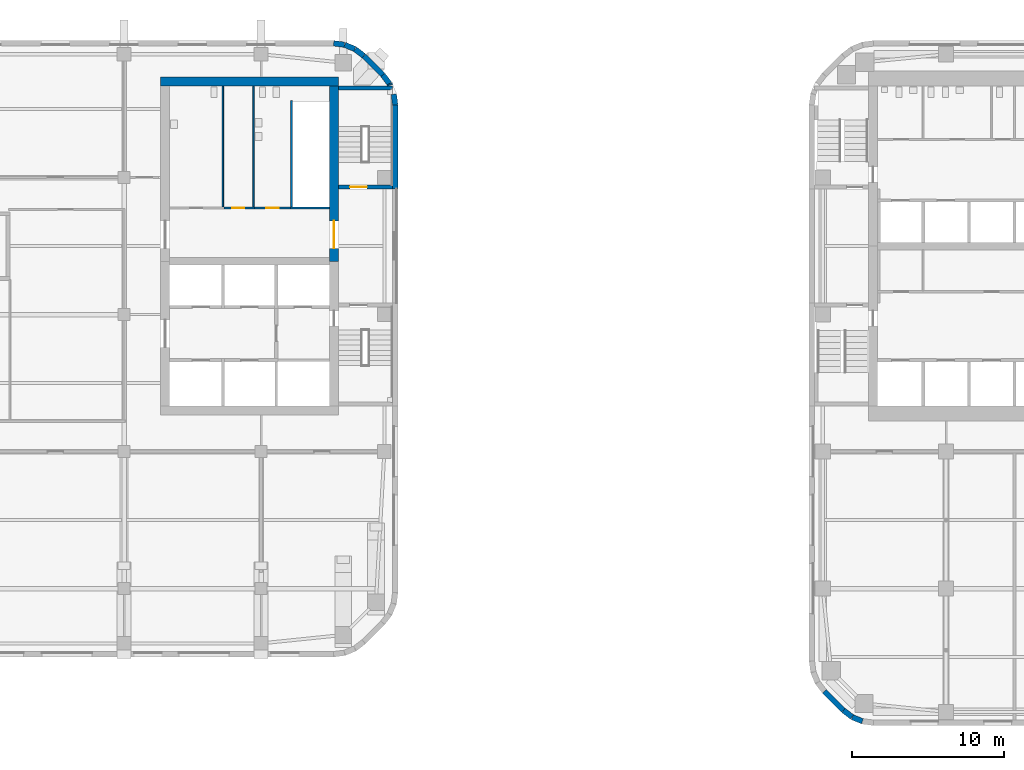
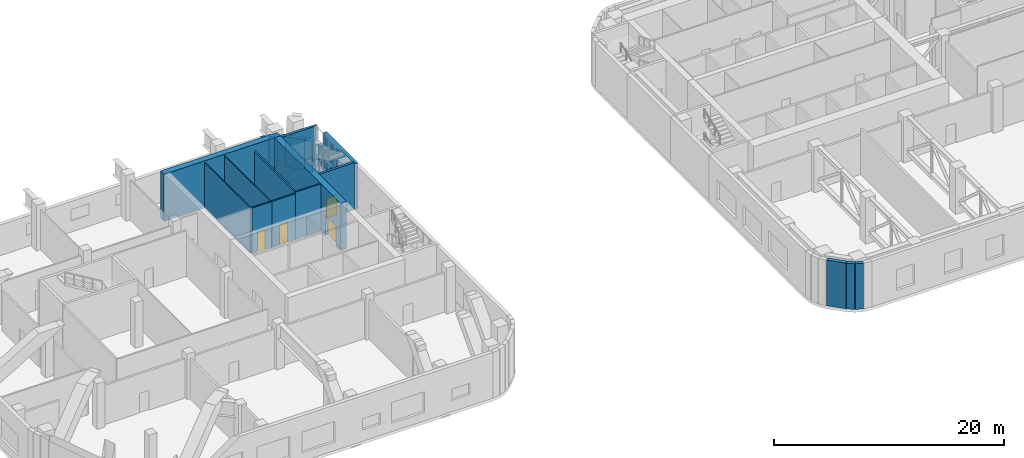
# One storey, part 14 of 23: 21 walls, 4 doors, 4 openings.
"""IFC4 building model written with IfcOpenShell, lengths in metres."""

from ifc_helpers import new_model, si_unit, direction, frame, frame_2d, origin, place, context, subcontext, project, spatial, rectangle, extrude, material, layer, layer_set, type_object, element, fill, save


model = new_model("IFC4")

# Units and contexts
model_context = context("Model", 3, precision=1e-05, world=origin(), true_north=direction((0.0, 1.0)))
body_context = subcontext(model_context, "Body", "Model", "MODEL_VIEW")
ifc_project = project(units=[si_unit("LENGTHUNIT", "METRE"), si_unit("AREAUNIT", "SQUARE_METRE"), si_unit("VOLUMEUNIT", "CUBIC_METRE"), si_unit("PLANEANGLEUNIT", "RADIAN"), si_unit("MASSUNIT", "GRAM", prefix="KILO")], contexts=[model_context])

# Site, building, storey
site_placement = place(None, origin())
site = spatial("IfcSite", under=ifc_project, at=site_placement, CompositionType="ELEMENT")
building_placement = place(site_placement, origin())
building = spatial("IfcBuilding", under=site, at=building_placement, Name="Cinnabar Reach Civic Tower", CompositionType="ELEMENT")
storey_placement = place(building_placement, frame((0.0, 0.0, 46.0)))
storey = spatial("IfcBuildingStorey", under=building, at=storey_placement, Name="L10", CompositionType="ELEMENT", Elevation=46.0)

# Walls
ifc_material_1 = material(Name="Facing brick with insulated backing", Category="masonry")
ifc_layer_1 = layer(ifc_material_1, 0.36)
ifc_layer_set_1 = layer_set([ifc_layer_1], Name="Brick corner wall")
wall_type_1 = type_object("IfcWallType", Name="Brick corner wall", PredefinedType="STANDARD", material=ifc_layer_set_1)
wall_1_placement = place(storey_placement, frame((2.2587, 1.0002, 0.0), z_axis=(0.0, 0.0, 1.0), x_axis=(0.793321924995, -0.608802368033, 0.0)))
element("IfcWall", 1, at=wall_1_placement, inside=storey, type_object=wall_type_1, Name="Brick corner wall", PredefinedType="STANDARD", context=body_context, shape_type="SweptSolid", body=[
    extrude(rectangle(XDim=0.7132, YDim=0.36, at=frame_2d((0.3566, 0.0))), origin(), (0.0, 0.0, 1.0), 4.85),
])
wall_2_placement = place(storey_placement, frame((2.8439, 0.5548, 0.0), z_axis=(0.0, 0.0, 1.0), x_axis=(0.923871547278, -0.382702709855, 0.0)))
element("IfcWall", 2, at=wall_2_placement, inside=storey, type_object=wall_type_1, Name="Brick corner wall", PredefinedType="STANDARD", context=body_context, shape_type="SweptSolid", body=[
    extrude(rectangle(XDim=0.7131, YDim=0.36, at=frame_2d((0.3565, 0.0))), origin(), (0.0, 0.0, 1.0), 4.85),
])
wall_3_placement = place(storey_placement, frame((-27.183, 40.7686, 0.0), z_axis=(0.0, 0.0, 1.0), x_axis=(-0.13055608231, 0.99144092581, 0.0)))
element("IfcWall", 3, at=wall_3_placement, inside=storey, type_object=wall_type_1, Name="Brick corner wall", PredefinedType="STANDARD", context=body_context, shape_type="SweptSolid", body=[
    extrude(rectangle(XDim=0.7131, YDim=0.36, at=frame_2d((0.3565, 0.0))), origin(), (0.0, 0.0, 1.0), 3.25),
])
wall_4_placement = place(storey_placement, frame((-27.5206, 42.0735, 0.0), z_axis=(0.0, 0.0, 1.0), x_axis=(-0.382549378284, 0.923935048136, 0.0)))
element("IfcWall", 4, at=wall_4_placement, inside=storey, type_object=wall_type_1, Name="Brick corner wall", PredefinedType="STANDARD", context=body_context, shape_type="SweptSolid", body=[
    extrude(rectangle(XDim=0.0894, YDim=0.36, at=frame_2d((0.0447, 0.0))), origin(), (0.0, 0.0, 1.0), 3.25),
])
for number, where, z_axis, x_axis, name in (
    (5, (-27.566, 42.1755, 0.0), (0.0, 0.0, 1.0), (-0.608802368033, 0.793321924995, 0.0), "Brick corner wall"),
    (6, (-29.2587, 43.9998, 0.0), (0.0, 0.0, 1.0), (-0.793321924995, 0.608802368033, 0.0), "Brick corner wall"),
):
    element("IfcWall", number, at=place(storey_placement, frame(where, z_axis=z_axis, x_axis=x_axis)), inside=storey, type_object=wall_type_1, Name=name, PredefinedType="STANDARD", context=body_context, shape_type="SweptSolid", body=[
        extrude(rectangle(XDim=0.7132, YDim=0.36, at=frame_2d((0.3566, 0.0))), origin(), (0.0, 0.0, 1.0), 3.25),
    ])
for number, where, z_axis, x_axis, name in (
    (7, (-29.8439, 44.4452, 0.0), (0.0, 0.0, 1.0), (-0.923871547278, 0.382702709855, 0.0), "Brick corner wall"),
    (8, (-30.5244, 44.7239, 0.0), (0.0, 0.0, 1.0), (-0.99144092581, 0.13055608231, 0.0), "Brick corner wall"),
):
    element("IfcWall", number, at=place(storey_placement, frame(where, z_axis=z_axis, x_axis=x_axis)), inside=storey, type_object=wall_type_1, Name=name, PredefinedType="STANDARD", context=body_context, shape_type="SweptSolid", body=[
        extrude(rectangle(XDim=0.7131, YDim=0.36, at=frame_2d((0.3565, 0.0))), origin(), (0.0, 0.0, 1.0), 3.25),
    ])
ifc_layer_2 = layer(ifc_material_1, 0.36)
ifc_layer_set_2 = layer_set([ifc_layer_2], Name="Brick pier and spandrel wall")
wall_type_2 = type_object("IfcWallType", Name="Brick pier and spandrel wall", PredefinedType="STANDARD", material=ifc_layer_set_2)
wall_5_placement = place(storey_placement, frame((1.006, 2.2486, 0.0), z_axis=(0.0, 0.0, 1.0), x_axis=(0.707106781187, -0.707106781187, 0.0)))
element("IfcWall", 9, at=wall_5_placement, inside=storey, type_object=wall_type_2, Name="Brick facade wall", PredefinedType="STANDARD", context=body_context, shape_type="SweptSolid", body=[
    extrude(rectangle(XDim=1.7573, YDim=0.36, at=frame_2d((0.8787, 0.0))), origin(), (0.0, 0.0, 1.0), 4.85),
])
wall_6_placement = place(storey_placement, frame((-27.18, 35.25, 0.0), z_axis=(0.0, 0.0, 1.0), x_axis=(0.0, 1.0, 0.0)))
element("IfcWall", 10, at=wall_6_placement, inside=storey, type_object=wall_type_2, Name="Brick facade wall", PredefinedType="STANDARD", context=body_context, shape_type="SweptSolid", body=[
    extrude(rectangle(XDim=5.5074, YDim=0.36, at=frame_2d((2.7537, 0.0))), origin(), (0.0, 0.0, 1.0), 4.85),
])
wall_7_placement = place(storey_placement, frame((-28.006, 42.7514, 0.0), z_axis=(0.0, 0.0, 1.0), x_axis=(-0.707106781187, 0.707106781187, 0.0)))
element("IfcWall", 11, at=wall_7_placement, inside=storey, type_object=wall_type_2, Name="Brick facade wall", PredefinedType="STANDARD", context=body_context, shape_type="SweptSolid", body=[
    extrude(rectangle(XDim=1.7573, YDim=0.36, at=frame_2d((0.8787, 0.0))), origin(), (0.0, 0.0, 1.0), 3.25),
])
ifc_material_2 = material(Name="Concrete C70", Category="concrete")
ifc_layer_3 = layer(ifc_material_2, 0.6)
ifc_layer_set_3 = layer_set([ifc_layer_3], Name="Core wall 600 EI 180")
wall_type_3 = type_object("IfcWallType", Name="Core wall 600 EI 180", PredefinedType="SOLIDWALL", material=ifc_layer_set_3)
wall_8_placement = place(storey_placement, frame((-30.9, 42.3, 0.0), z_axis=(0.0, 0.0, 1.0), x_axis=(-1.0, 0.0, 0.0)))
element("IfcWall", 12, at=wall_8_placement, inside=storey, type_object=wall_type_3, Name="Core wall T2 L10 N", PredefinedType="SOLIDWALL", context=body_context, shape_type="SweptSolid", body=[
    extrude(rectangle(XDim=11.7, YDim=0.6, at=frame_2d((5.85, 0.0))), origin(), (0.0, 0.0, 1.0), 5.0),
])

# Wall, opening, door
wall_9_placement = place(storey_placement, frame((-31.2, 30.5, 0.0), z_axis=(0.0, 0.0, 1.0), x_axis=(0.0, 1.0, 0.0)))
wall_9 = element("IfcWall", 13, at=wall_9_placement, inside=storey, type_object=wall_type_3, Name="Core wall T2 L10 E2", PredefinedType="SOLIDWALL", context=body_context, shape_type="SweptSolid", body=[
    extrude(rectangle(XDim=11.5, YDim=0.6, at=frame_2d((5.75, 0.0))), origin(), (0.0, 0.0, 1.0), 5.0),
])
opening_1_placement = place(wall_9_placement, frame((0.85, 0.0, 0.0)))
opening_1 = element("IfcOpeningElement", 14, at=opening_1_placement, cuts=wall_9, Name="Opening D6379", PredefinedType="OPENING", context=body_context, shape_type="SweptSolid", body=[
    extrude(rectangle(XDim=1.8, YDim=2.1, at=frame_2d((0.9, 1.05))), frame((0.0, 0.31, 0.0), z_axis=(0.0, -1.0, 0.0), x_axis=(1.0, 0.0, 0.0)), (0.0, 0.0, 1.0), 0.62),
])
ifc_material_3 = material(Name="Steel fire door", Category="steel")
door_type_1 = type_object("IfcDoorType", Name="T2 Double door 1800", OperationType="DOUBLE_DOOR_SINGLE_SWING", PredefinedType="DOOR", material=ifc_material_3)
door_1_placement = place(opening_1_placement, origin())
door_1 = element("IfcDoor", 15, at=door_1_placement, inside=storey, type_object=door_type_1, Name="T2 Double door D6379", OperationType="DOUBLE_DOOR_SINGLE_SWING", OverallHeight=2.1, OverallWidth=1.8, PredefinedType="DOOR", context=body_context, shape_type="SweptSolid", body=[
    extrude(rectangle(XDim=1.8, YDim=2.1, at=frame_2d((0.9, 1.05))), frame((0.0, 0.025, 0.0), z_axis=(0.0, -1.0, 0.0), x_axis=(1.0, 0.0, 0.0)), (0.0, 0.0, 1.0), 0.05),
])
fill(opening_1, door_1)

ifc_material_4 = material(Name="Concrete C60", Category="concrete")
ifc_layer_4 = layer(ifc_material_4, 0.25)
ifc_layer_set_4 = layer_set([ifc_layer_4], Name="Stair shaft wall 250 EI 120")
wall_type_4 = type_object("IfcWallType", Name="Stair shaft wall 250 EI 120", PredefinedType="SOLIDWALL", material=ifc_layer_set_4)
wall_10_placement = place(storey_placement, frame((-30.9, 35.375, 0.0), z_axis=(0.0, 0.0, 1.0), x_axis=(1.0, 0.0, 0.0)))
wall_10 = element("IfcWall", 16, at=wall_10_placement, inside=storey, type_object=wall_type_4, Name="Stair shaft wall T2-S2 L10", PredefinedType="SOLIDWALL", context=body_context, shape_type="SweptSolid", body=[
    extrude(rectangle(XDim=3.54, YDim=0.25, at=frame_2d((1.77, 0.0))), origin(), (0.0, 0.0, 1.0), 5.0),
])
opening_2_placement = place(wall_10_placement, frame((0.75, 0.0, 0.0)))
opening_2 = element("IfcOpeningElement", 17, at=opening_2_placement, cuts=wall_10, Name="Opening D6378", PredefinedType="OPENING", context=body_context, shape_type="SweptSolid", body=[
    extrude(rectangle(XDim=1.1, YDim=2.1, at=frame_2d((0.55, 1.05))), frame((0.0, 0.135, 0.0), z_axis=(0.0, -1.0, 0.0), x_axis=(1.0, 0.0, 0.0)), (0.0, 0.0, 1.0), 0.27),
])
door_type_2 = type_object("IfcDoorType", Name="T2 Stair door 1100", OperationType="SINGLE_SWING_LEFT", PredefinedType="DOOR", material=ifc_material_3)
door_2_placement = place(opening_2_placement, origin())
door_2 = element("IfcDoor", 18, at=door_2_placement, inside=storey, type_object=door_type_2, Name="T2 Stair door D6378", OperationType="SINGLE_SWING_RIGHT", OverallHeight=2.1, OverallWidth=1.1, PredefinedType="DOOR", context=body_context, shape_type="SweptSolid", body=[
    extrude(rectangle(XDim=1.1, YDim=2.1, at=frame_2d((0.55, 1.05))), frame((0.0, 0.025, 0.0), z_axis=(0.0, -1.0, 0.0), x_axis=(1.0, 0.0, 0.0)), (0.0, 0.0, 1.0), 0.05),
])
fill(opening_2, door_2)

# Wall
wall_11_placement = place(storey_placement, frame((-27.36, 41.875, 0.0), z_axis=(0.0, 0.0, 1.0), x_axis=(-1.0, 0.0, 0.0)))
element("IfcWall", 19, at=wall_11_placement, inside=storey, type_object=wall_type_4, Name="Stair shaft wall T2-S2 L10", PredefinedType="SOLIDWALL", context=body_context, shape_type="SweptSolid", body=[
    extrude(rectangle(XDim=3.54, YDim=0.25, at=frame_2d((1.77, 0.0))), origin(), (0.0, 0.0, 1.0), 5.0),
])

# Wall, opening, door
ifc_material_5 = material(Name="Masonry block partition", Category="masonry")
ifc_layer_5 = layer(ifc_material_5, 0.15)
ifc_layer_set_5 = layer_set([ifc_layer_5], Name="T2 Corridor wall 150")
wall_type_5 = type_object("IfcWallType", Name="T2 Corridor wall 150", PredefinedType="PARTITIONING", material=ifc_layer_set_5)
wall_12_placement = place(storey_placement, frame((-36.425, 34.0, 0.0), z_axis=(0.0, 0.0, 1.0), x_axis=(-1.0, 0.0, 0.0)))
wall_12 = element("IfcWall", 20, at=wall_12_placement, inside=storey, type_object=wall_type_5, Name="T2 Corridor wall L10 015", PredefinedType="PARTITIONING", context=body_context, shape_type="SweptSolid", body=[
    extrude(rectangle(XDim=2.0, YDim=0.15, at=frame_2d((1.0, 0.0))), origin(), (0.0, 0.0, 1.0), 4.85),
])
opening_3_placement = place(wall_12_placement, frame((0.675, 0.0, 0.0)))
opening_3 = element("IfcOpeningElement", 21, at=opening_3_placement, cuts=wall_12, Name="Opening D6383", PredefinedType="OPENING", context=body_context, shape_type="SweptSolid", body=[
    extrude(rectangle(XDim=0.8, YDim=2.1, at=frame_2d((0.4, 1.05))), frame((0.0, 0.085, 0.0), z_axis=(0.0, -1.0, 0.0), x_axis=(1.0, 0.0, 0.0)), (0.0, 0.0, 1.0), 0.17),
])
ifc_material_6 = material(Name="Timber door leaf", Category="wood")
door_type_3 = type_object("IfcDoorType", Name="T2 Bathroom door 800", OperationType="SINGLE_SWING_LEFT", PredefinedType="DOOR", material=ifc_material_6)
door_3_placement = place(opening_3_placement, frame((0.8, 0.0, 0.0), z_axis=(0.0, 0.0, 1.0), x_axis=(-1.0, 0.0, 0.0)))
door_3 = element("IfcDoor", 22, at=door_3_placement, inside=storey, type_object=door_type_3, Name="T2 Bathroom door D6383", OperationType="SINGLE_SWING_RIGHT", OverallHeight=2.1, OverallWidth=0.8, PredefinedType="DOOR", context=body_context, shape_type="SweptSolid", body=[
    extrude(rectangle(XDim=0.8, YDim=2.1, at=frame_2d((0.4, 1.05))), frame((0.0, 0.025, 0.0), z_axis=(0.0, -1.0, 0.0), x_axis=(1.0, 0.0, 0.0)), (0.0, 0.0, 1.0), 0.05),
])
fill(opening_3, door_3)

wall_13_placement = place(storey_placement, frame((-34.075, 34.0, 0.0), z_axis=(0.0, 0.0, 1.0), x_axis=(-1.0, 0.0, 0.0)))
wall_13 = element("IfcWall", 23, at=wall_13_placement, inside=storey, type_object=wall_type_5, Name="T2 Corridor wall L10 016", PredefinedType="PARTITIONING", context=body_context, shape_type="SweptSolid", body=[
    extrude(rectangle(XDim=2.35, YDim=0.15, at=frame_2d((1.175, 0.0))), origin(), (0.0, 0.0, 1.0), 4.85),
])
opening_4_placement = place(wall_13_placement, frame((0.775, 0.0, 0.0)))
opening_4 = element("IfcOpeningElement", 24, at=opening_4_placement, cuts=wall_13, Name="Opening D6384", PredefinedType="OPENING", context=body_context, shape_type="SweptSolid", body=[
    extrude(rectangle(XDim=0.8, YDim=2.1, at=frame_2d((0.4, 1.05))), frame((0.0, 0.085, 0.0), z_axis=(0.0, -1.0, 0.0), x_axis=(1.0, 0.0, 0.0)), (0.0, 0.0, 1.0), 0.17),
])
door_4_placement = place(opening_4_placement, frame((0.8, 0.0, 0.0), z_axis=(0.0, 0.0, 1.0), x_axis=(-1.0, 0.0, 0.0)))
door_4 = element("IfcDoor", 25, at=door_4_placement, inside=storey, type_object=door_type_3, Name="T2 Bathroom door D6384", OperationType="SINGLE_SWING_RIGHT", OverallHeight=2.1, OverallWidth=0.8, PredefinedType="DOOR", context=body_context, shape_type="SweptSolid", body=[
    extrude(rectangle(XDim=0.8, YDim=2.1, at=frame_2d((0.4, 1.05))), frame((0.0, 0.025, 0.0), z_axis=(0.0, -1.0, 0.0), x_axis=(1.0, 0.0, 0.0)), (0.0, 0.0, 1.0), 0.05),
])
fill(opening_4, door_4)

# Walls
ifc_material_7 = material(Name="Gypsum board partition")
ifc_layer_6 = layer(ifc_material_7, 0.1)
ifc_layer_set_6 = layer_set([ifc_layer_6], Name="T2 Internal partition 100")
wall_type_6 = type_object("IfcWallType", Name="T2 Internal partition 100", PredefinedType="PARTITIONING", material=ifc_layer_set_6)
for number, where, z_axis, x_axis, name in (
    (26, (-38.5, 34.075, 0.0), (0.0, 0.0, 1.0), (0.0, 1.0, 0.0), "T2 Internal partition L10 017"),
    (27, (-36.5, 34.075, 0.0), (0.0, 0.0, 1.0), (0.0, 1.0, 0.0), "T2 Internal partition L10 018"),
):
    element("IfcWall", number, at=place(storey_placement, frame(where, z_axis=z_axis, x_axis=x_axis)), inside=storey, type_object=wall_type_6, Name=name, PredefinedType="PARTITIONING", context=body_context, shape_type="SweptSolid", body=[
        extrude(rectangle(XDim=7.925, YDim=0.1, at=frame_2d((3.9625, 0.0))), origin(), (0.0, 0.0, 1.0), 4.85),
    ])
ifc_material_8 = material(Name="Concrete C40", Category="concrete")
ifc_layer_7 = layer(ifc_material_8, 0.15)
ifc_layer_set_7 = layer_set([ifc_layer_7], Name="T2 Riser wall 150")
wall_type_7 = type_object("IfcWallType", Name="T2 Riser wall 150", PredefinedType="SOLIDWALL", material=ifc_layer_set_7)
wall_14_placement = place(storey_placement, frame((-34.075, 34.0, 0.0), z_axis=(0.0, 0.0, 1.0), x_axis=(1.0, 0.0, 0.0)))
element("IfcWall", 28, at=wall_14_placement, inside=storey, type_object=wall_type_7, Name="T2 Riser wall L10 012", PredefinedType="SOLIDWALL", context=body_context, shape_type="SweptSolid", body=[
    extrude(rectangle(XDim=2.575, YDim=0.15, at=frame_2d((1.2875, 0.0))), origin(), (0.0, 0.0, 1.0), 5.0),
])
wall_15_placement = place(storey_placement, frame((-34.0, 41.075, 0.0), z_axis=(0.0, 0.0, 1.0), x_axis=(0.0, -1.0, 0.0)))
element("IfcWall", 29, at=wall_15_placement, inside=storey, type_object=wall_type_7, Name="T2 Riser wall L10 013", PredefinedType="SOLIDWALL", context=body_context, shape_type="SweptSolid", body=[
    extrude(rectangle(XDim=7.0, YDim=0.15, at=frame_2d((3.5, 0.0))), origin(), (0.0, 0.0, 1.0), 5.0),
])

save(model, "model.ifc")
